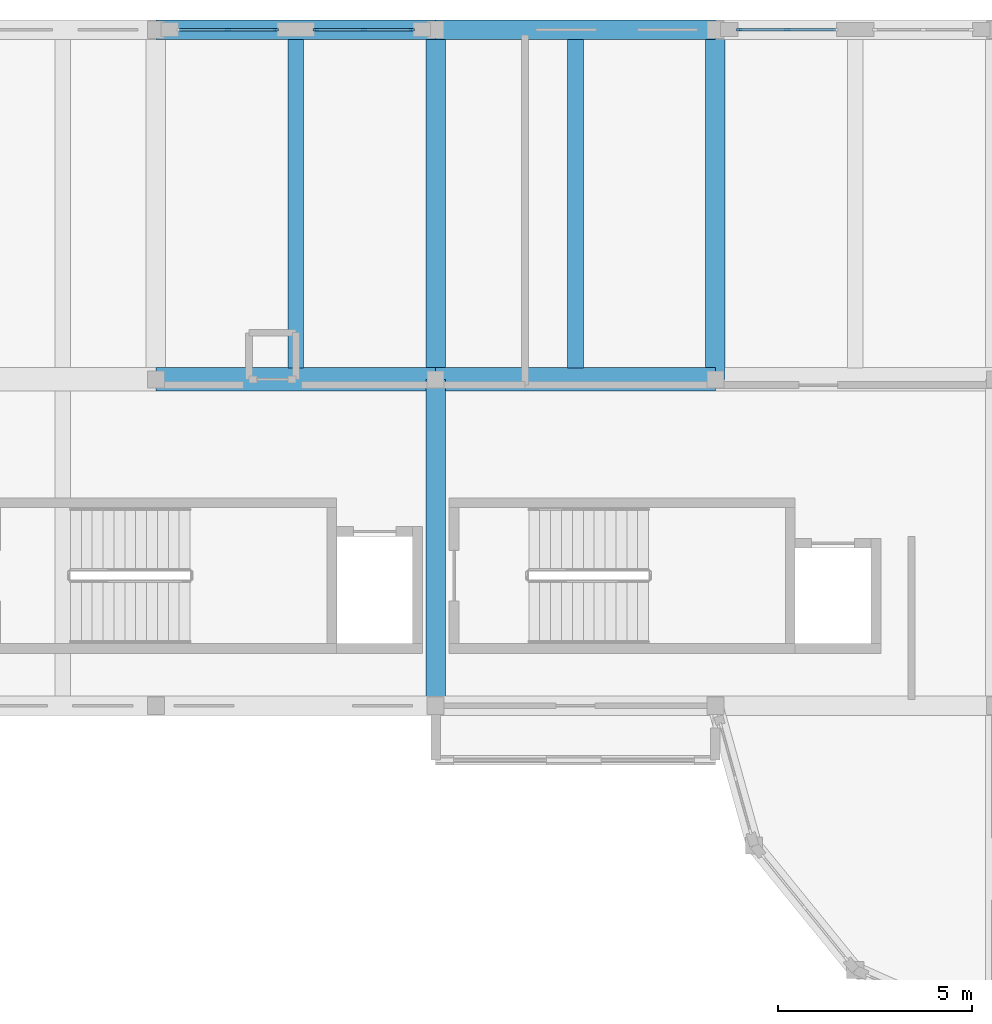
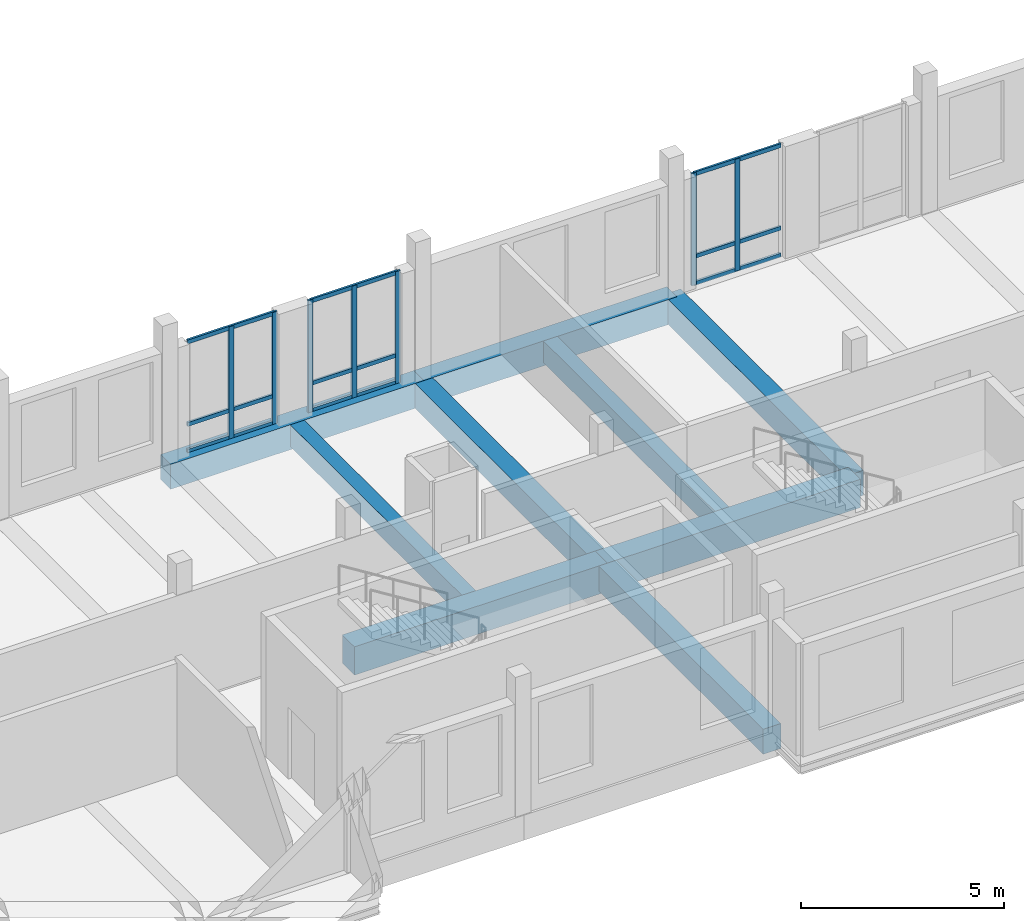
# One storey, part 37 of 99: 16 members, 9 beams, 3 elements without a shape of their own.
"""IFC4 building model written with IfcOpenShell, lengths in metres."""

from ifc_helpers import new_model, si_unit, direction, frame, origin, origin_2d, place, context, subcontext, project, spatial, rectangle, extrude, material, material_profile, profile_set, type_object, element, aggregate, save


model = new_model("IFC4")

# Units and contexts
model_context = context("Model", 3, precision=1e-05, world=origin(), true_north=direction((0.0, 1.0)))
body_context = subcontext(model_context, "Body", "Model", "MODEL_VIEW")
ifc_project = project(units=[si_unit("LENGTHUNIT", "METRE"), si_unit("AREAUNIT", "SQUARE_METRE"), si_unit("VOLUMEUNIT", "CUBIC_METRE"), si_unit("PLANEANGLEUNIT", "RADIAN"), si_unit("MASSUNIT", "GRAM", prefix="KILO")], contexts=[model_context])

# Site, building, storey
site_placement = place(None, origin())
site = spatial("IfcSite", under=ifc_project, at=site_placement, CompositionType="ELEMENT")
building_placement = place(site_placement, origin())
building = spatial("IfcBuilding", under=site, at=building_placement, Name="Kahlenmark Community Centre", CompositionType="ELEMENT")
storey_placement = place(building_placement, frame((0.0, 0.0, 5.39990234375)))
storey = spatial("IfcBuildingStorey", under=building, at=storey_placement, Name="L01", CompositionType="ELEMENT", Elevation=5.39990234375)

# Beams
ifc_material_1 = material(Name="Concrete C35/45", Category="concrete")
ifc_material_profile_1 = material_profile(ifc_material_1, rectangle(XDim=0.5, YDim=0.75, at=origin_2d()), Name="RC 500x750")
ifc_profile_set_1 = profile_set([ifc_material_profile_1], Name="Concrete C35/45")
beam_type_1 = type_object("IfcBeamType", Name="BT-BEAM-RC500x750", PredefinedType="BEAM", material=ifc_profile_set_1)
beam_placement = place(storey_placement, frame((58.0, 97.60009765625, -0.375), z_axis=(0.0, 1.0, 0.0), x_axis=(-1.0, 0.0, 0.0)))
element("IfcBeam", 1, at=beam_placement, inside=storey, type_object=beam_type_1, Name="L01 beam BG-RC500x750", PredefinedType="BEAM", context=body_context, shape_type="SweptSolid", body=[
    extrude(rectangle(XDim=0.5, YDim=0.75, at=origin_2d()), origin(), (0.0, 0.0, 1.0), 8.39990234375),
])
for number, where, z_axis, x_axis, name in (
    (2, (58.0, 106.0, -0.375), (0.0, 1.0, 0.0), (-1.0, 0.0, 0.0), "L01 beam BG-RC500x750"),
    (3, (65.199951171875, 106.0, -0.375), (0.0, 1.0, 0.0), (-1.0, 0.0, 0.0), "L01 beam BG-RC500x750"),
):
    element("IfcBeam", number, at=place(storey_placement, frame(where, z_axis=z_axis, x_axis=x_axis)), inside=storey, type_object=beam_type_1, Name=name, PredefinedType="BEAM", context=body_context, shape_type="SweptSolid", body=[
        extrude(rectangle(XDim=0.5, YDim=0.75, at=origin_2d()), origin(), (0.0, 0.0, 1.0), 9.0),
    ])
ifc_material_profile_2 = material_profile(ifc_material_1, rectangle(XDim=0.60009765625, YDim=0.85009765625, at=origin_2d()), Name="RC 600x850")
ifc_profile_set_2 = profile_set([ifc_material_profile_2], Name="Concrete C35/45")
beam_type_2 = type_object("IfcBeamType", Name="BT-BEAM-RC600x850", PredefinedType="BEAM", material=ifc_profile_set_2)
for number, where, z_axis, x_axis, name in (
    (4, (50.800048828125, 106.0, -0.4248046875), (1.0, 0.0, 0.0), (0.0, 1.0, 0.0), "L01 beam BG-RC600x850"),
    (5, (58.0, 106.0, -0.4248046875), (1.0, 0.0, 0.0), (0.0, 1.0, 0.0), "L01 beam BG-RC600x850"),
):
    element("IfcBeam", number, at=place(storey_placement, frame(where, z_axis=z_axis, x_axis=x_axis)), inside=storey, type_object=beam_type_2, Name=name, PredefinedType="BEAM", context=body_context, shape_type="SweptSolid", body=[
        extrude(rectangle(XDim=0.60009765625, YDim=0.85009765625, at=origin_2d()), origin(), (0.0, 0.0, 1.0), 7.199951171875),
    ])
ifc_material_profile_3 = material_profile(ifc_material_1, rectangle(XDim=0.39990234375, YDim=0.64990234375, at=origin_2d()), Name="RC 400x650")
ifc_profile_set_3 = profile_set([ifc_material_profile_3], Name="Concrete C35/45")
beam_type_3 = type_object("IfcBeamType", Name="BT-JOIST-RC400x650", PredefinedType="JOIST", material=ifc_profile_set_3)
for number, where, z_axis, x_axis, name in (
    (6, (54.39990234375, 106.298095703125, -0.324951171875), (0.0, 1.0, 0.0), (-1.0, 0.0, 0.0), "L01 joist BJ-RC400x650"),
    (7, (61.60009765625, 106.298095703125, -0.324951171875), (0.0, 1.0, 0.0), (-1.0, 0.0, 0.0), "L01 joist BJ-RC400x650"),
):
    element("IfcBeam", number, at=place(storey_placement, frame(where, z_axis=z_axis, x_axis=x_axis)), inside=storey, type_object=beam_type_3, Name=name, PredefinedType="JOIST", context=body_context, shape_type="SweptSolid", body=[
        extrude(rectangle(XDim=0.39990234375, YDim=0.64990234375, at=origin_2d()), origin(), (0.0, 0.0, 1.0), 8.453857421875),
    ])
ifc_material_profile_4 = material_profile(ifc_material_1, rectangle(XDim=0.5, YDim=0.75, at=origin_2d()), Name="RC 500x750")
ifc_profile_set_4 = profile_set([ifc_material_profile_4], Name="Concrete C35/45")
beam_type_4 = type_object("IfcBeamType", Name="BT-SPANDREL-RC500x750", PredefinedType="SPANDREL", material=ifc_profile_set_4)
for number, where, z_axis, x_axis, name in (
    (8, (50.800048828125, 115.0, -0.375), (1.0, 0.0, 0.0), (0.0, 1.0, 0.0), "L01 spandrel SP-RC500x750"),
    (9, (58.0, 115.0, -0.375), (1.0, 0.0, 0.0), (0.0, 1.0, 0.0), "L01 spandrel SP-RC500x750"),
):
    element("IfcBeam", number, at=place(storey_placement, frame(where, z_axis=z_axis, x_axis=x_axis)), inside=storey, type_object=beam_type_4, Name=name, PredefinedType="SPANDREL", context=body_context, shape_type="SweptSolid", body=[
        extrude(rectangle(XDim=0.5, YDim=0.75, at=origin_2d()), origin(), (0.0, 0.0, 1.0), 7.199951171875),
    ])

# Curtain wall, members
ifc_material_2 = material(Name="Anodised aluminium unitised curtain wall", Category="aluminium")
curtain_wall_type = type_object("IfcCurtainWallType", Name="CWT-UNIT-254X337", PredefinedType="USERDEFINED", material=ifc_material_2)
curtain_wall_1_placement = place(storey_placement, origin())
curtain_wall_1 = element("IfcCurtainWall", 10, at=curtain_wall_1_placement, inside=storey, type_object=curtain_wall_type, Name="Unitised curtain wall CW-036", ObjectType="UNITISED CURTAIN WALL", PredefinedType="USERDEFINED")
ifc_material_3 = material(Name="Anodised aluminium 6063-T6", Category="aluminium")
ifc_material_profile_5 = material_profile(ifc_material_3, rectangle(XDim=0.06005859375, YDim=0.139892578125, at=origin_2d()), Name="ALU MULLION 60x140")
ifc_profile_set_5 = profile_set([ifc_material_profile_5], Name="Anodised aluminium 6063-T6")
member_type_1 = type_object("IfcMemberType", Name="MT-MUL-140", PredefinedType="MULLION", material=ifc_profile_set_5)
member_1_placement = place(storey_placement, frame((57.389892578125, 115.0, 0.0), z_axis=(0.0, 0.0, 1.0), x_axis=(0.0, -1.0, 0.0)))
member_1 = element("IfcMember", 11, at=member_1_placement, type_object=member_type_1, Name="CW-036 mullion 1", PredefinedType="MULLION", context=body_context, shape_type="SweptSolid", body=[
    extrude(rectangle(XDim=0.06005859375, YDim=0.139892578125, at=origin_2d()), origin(), (0.0, 0.0, 1.0), 3.3701171875),
])
member_2_placement = place(storey_placement, frame((56.14990234375, 115.0, 0.0), z_axis=(0.0, 0.0, 1.0), x_axis=(0.0, -1.0, 0.0)))
member_2 = element("IfcMember", 12, at=member_2_placement, type_object=member_type_1, Name="CW-036 mullion 2", PredefinedType="MULLION", context=body_context, shape_type="SweptSolid", body=[
    extrude(rectangle(XDim=0.06005859375, YDim=0.139892578125, at=origin_2d()), origin(), (0.0, 0.0, 1.0), 3.3701171875),
])
member_3_placement = place(storey_placement, frame((54.909912109375, 115.0, 0.0), z_axis=(0.0, 0.0, 1.0), x_axis=(0.0, -1.0, 0.0)))
member_3 = element("IfcMember", 13, at=member_3_placement, type_object=member_type_1, Name="CW-036 mullion 3", PredefinedType="MULLION", context=body_context, shape_type="SweptSolid", body=[
    extrude(rectangle(XDim=0.06005859375, YDim=0.139892578125, at=origin_2d()), origin(), (0.0, 0.0, 1.0), 3.3701171875),
])

curtain_wall_2_placement = place(storey_placement, origin())
curtain_wall_2 = element("IfcCurtainWall", 14, at=curtain_wall_2_placement, inside=storey, type_object=curtain_wall_type, Name="Unitised curtain wall CW-037", ObjectType="UNITISED CURTAIN WALL", PredefinedType="USERDEFINED")
member_4_placement = place(storey_placement, frame((53.889892578125, 115.0, 0.0), z_axis=(0.0, 0.0, 1.0), x_axis=(0.0, -1.0, 0.0)))
member_4 = element("IfcMember", 15, at=member_4_placement, type_object=member_type_1, Name="CW-037 mullion 1", PredefinedType="MULLION", context=body_context, shape_type="SweptSolid", body=[
    extrude(rectangle(XDim=0.06005859375, YDim=0.139892578125, at=origin_2d()), origin(), (0.0, 0.0, 1.0), 3.3701171875),
])
member_5_placement = place(storey_placement, frame((52.64990234375, 115.0, 0.0), z_axis=(0.0, 0.0, 1.0), x_axis=(0.0, -1.0, 0.0)))
member_5 = element("IfcMember", 16, at=member_5_placement, type_object=member_type_1, Name="CW-037 mullion 2", PredefinedType="MULLION", context=body_context, shape_type="SweptSolid", body=[
    extrude(rectangle(XDim=0.06005859375, YDim=0.139892578125, at=origin_2d()), origin(), (0.0, 0.0, 1.0), 3.3701171875),
])

curtain_wall_3_placement = place(storey_placement, origin())
curtain_wall_3 = element("IfcCurtainWall", 17, at=curtain_wall_3_placement, inside=storey, type_object=curtain_wall_type, Name="Unitised curtain wall CW-039", ObjectType="UNITISED CURTAIN WALL", PredefinedType="USERDEFINED")
member_6_placement = place(storey_placement, frame((67.050048828125, 115.0, 0.0), z_axis=(0.0, 0.0, 1.0), x_axis=(0.0, -1.0, 0.0)))
member_6 = element("IfcMember", 18, at=member_6_placement, type_object=member_type_1, Name="CW-039 mullion 2", PredefinedType="MULLION", context=body_context, shape_type="SweptSolid", body=[
    extrude(rectangle(XDim=0.06005859375, YDim=0.139892578125, at=origin_2d()), origin(), (0.0, 0.0, 1.0), 3.3701171875),
])
member_7_placement = place(storey_placement, frame((65.81005859375, 115.0, 0.0), z_axis=(0.0, 0.0, 1.0), x_axis=(0.0, -1.0, 0.0)))
member_7 = element("IfcMember", 19, at=member_7_placement, type_object=member_type_1, Name="CW-039 mullion 3", PredefinedType="MULLION", context=body_context, shape_type="SweptSolid", body=[
    extrude(rectangle(XDim=0.06005859375, YDim=0.139892578125, at=origin_2d()), origin(), (0.0, 0.0, 1.0), 3.3701171875),
])

# Member
ifc_material_profile_6 = material_profile(ifc_material_3, rectangle(XDim=0.06005859375, YDim=0.1201171875, at=origin_2d()), Name="ALU TRANSOM 60x120")
ifc_profile_set_6 = profile_set([ifc_material_profile_6], Name="Anodised aluminium 6063-T6")
member_type_2 = type_object("IfcMemberType", Name="MT-TRN-120", PredefinedType="USERDEFINED", material=ifc_profile_set_6)
member_8_placement = place(storey_placement, frame((57.389892578125, 115.0, 0.0400390625), z_axis=(-1.0, 0.0, 0.0), x_axis=(0.0, -1.0, 0.0)))
member_8 = element("IfcMember", 20, at=member_8_placement, type_object=member_type_2, Name="CW-036 transom 1", ObjectType="TRANSOM", PredefinedType="USERDEFINED", context=body_context, shape_type="SweptSolid", body=[
    extrude(rectangle(XDim=0.06005859375, YDim=0.1201171875, at=origin_2d()), origin(), (0.0, 0.0, 1.0), 2.47998046875),
])

member_9_placement = place(storey_placement, frame((57.389892578125, 115.0, 0.85009765625), z_axis=(-1.0, 0.0, 0.0), x_axis=(0.0, -1.0, 0.0)))
member_9 = element("IfcMember", 21, at=member_9_placement, type_object=member_type_2, Name="CW-036 transom 2", ObjectType="TRANSOM", PredefinedType="USERDEFINED", context=body_context, shape_type="SweptSolid", body=[
    extrude(rectangle(XDim=0.06005859375, YDim=0.1201171875, at=origin_2d()), origin(), (0.0, 0.0, 1.0), 2.47998046875),
])

member_10_placement = place(storey_placement, frame((57.389892578125, 115.0, 3.330078125), z_axis=(-1.0, 0.0, 0.0), x_axis=(0.0, -1.0, 0.0)))
member_10 = element("IfcMember", 22, at=member_10_placement, type_object=member_type_2, Name="CW-036 transom 3", ObjectType="TRANSOM", PredefinedType="USERDEFINED", context=body_context, shape_type="SweptSolid", body=[
    extrude(rectangle(XDim=0.06005859375, YDim=0.1201171875, at=origin_2d()), origin(), (0.0, 0.0, 1.0), 2.47998046875),
])

aggregate(curtain_wall_1, [member_1, member_2, member_3, member_8, member_9, member_10])

member_11_placement = place(storey_placement, frame((53.889892578125, 115.0, 0.0400390625), z_axis=(-1.0, 0.0, 0.0), x_axis=(0.0, -1.0, 0.0)))
member_11 = element("IfcMember", 23, at=member_11_placement, type_object=member_type_2, Name="CW-037 transom 1", ObjectType="TRANSOM", PredefinedType="USERDEFINED", context=body_context, shape_type="SweptSolid", body=[
    extrude(rectangle(XDim=0.06005859375, YDim=0.1201171875, at=origin_2d()), origin(), (0.0, 0.0, 1.0), 2.47998046875),
])

member_12_placement = place(storey_placement, frame((53.889892578125, 115.0, 0.85009765625), z_axis=(-1.0, 0.0, 0.0), x_axis=(0.0, -1.0, 0.0)))
member_12 = element("IfcMember", 24, at=member_12_placement, type_object=member_type_2, Name="CW-037 transom 2", ObjectType="TRANSOM", PredefinedType="USERDEFINED", context=body_context, shape_type="SweptSolid", body=[
    extrude(rectangle(XDim=0.06005859375, YDim=0.1201171875, at=origin_2d()), origin(), (0.0, 0.0, 1.0), 2.47998046875),
])

member_13_placement = place(storey_placement, frame((53.889892578125, 115.0, 3.330078125), z_axis=(-1.0, 0.0, 0.0), x_axis=(0.0, -1.0, 0.0)))
member_13 = element("IfcMember", 25, at=member_13_placement, type_object=member_type_2, Name="CW-037 transom 3", ObjectType="TRANSOM", PredefinedType="USERDEFINED", context=body_context, shape_type="SweptSolid", body=[
    extrude(rectangle(XDim=0.06005859375, YDim=0.1201171875, at=origin_2d()), origin(), (0.0, 0.0, 1.0), 2.47998046875),
])

aggregate(curtain_wall_2, [member_4, member_5, member_11, member_12, member_13])

member_14_placement = place(storey_placement, frame((68.2900390625, 115.0, 0.0400390625), z_axis=(-1.0, 0.0, 0.0), x_axis=(0.0, -1.0, 0.0)))
member_14 = element("IfcMember", 26, at=member_14_placement, type_object=member_type_2, Name="CW-039 transom 1", ObjectType="TRANSOM", PredefinedType="USERDEFINED", context=body_context, shape_type="SweptSolid", body=[
    extrude(rectangle(XDim=0.06005859375, YDim=0.1201171875, at=origin_2d()), origin(), (0.0, 0.0, 1.0), 2.47998046875),
])

member_15_placement = place(storey_placement, frame((68.2900390625, 115.0, 0.85009765625), z_axis=(-1.0, 0.0, 0.0), x_axis=(0.0, -1.0, 0.0)))
member_15 = element("IfcMember", 27, at=member_15_placement, type_object=member_type_2, Name="CW-039 transom 2", ObjectType="TRANSOM", PredefinedType="USERDEFINED", context=body_context, shape_type="SweptSolid", body=[
    extrude(rectangle(XDim=0.06005859375, YDim=0.1201171875, at=origin_2d()), origin(), (0.0, 0.0, 1.0), 2.47998046875),
])

member_16_placement = place(storey_placement, frame((68.2900390625, 115.0, 3.330078125), z_axis=(-1.0, 0.0, 0.0), x_axis=(0.0, -1.0, 0.0)))
member_16 = element("IfcMember", 28, at=member_16_placement, type_object=member_type_2, Name="CW-039 transom 3", ObjectType="TRANSOM", PredefinedType="USERDEFINED", context=body_context, shape_type="SweptSolid", body=[
    extrude(rectangle(XDim=0.06005859375, YDim=0.1201171875, at=origin_2d()), origin(), (0.0, 0.0, 1.0), 2.47998046875),
])

aggregate(curtain_wall_3, [member_6, member_7, member_14, member_15, member_16])

save(model, "model.ifc")
